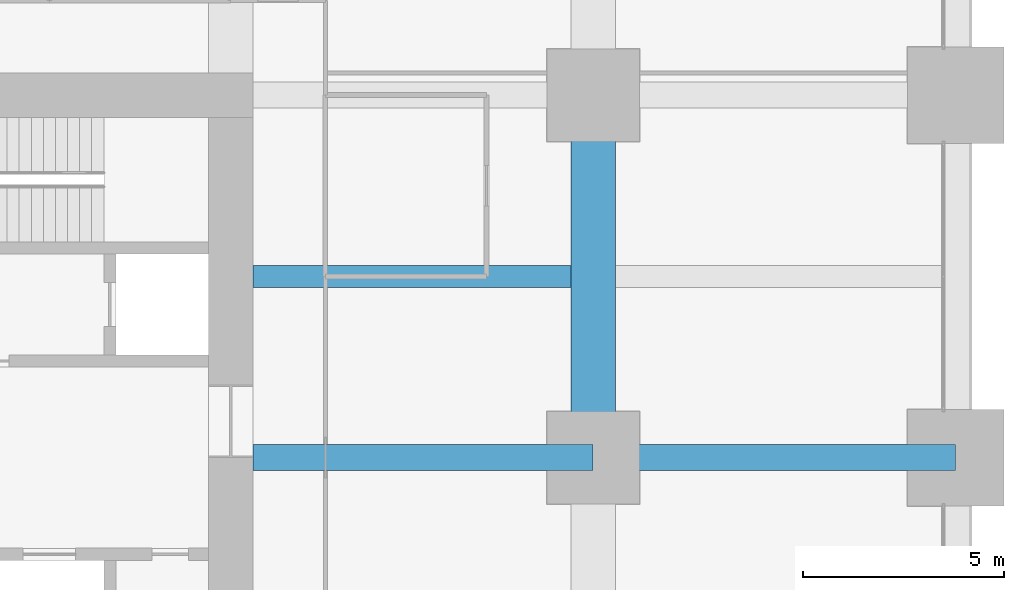
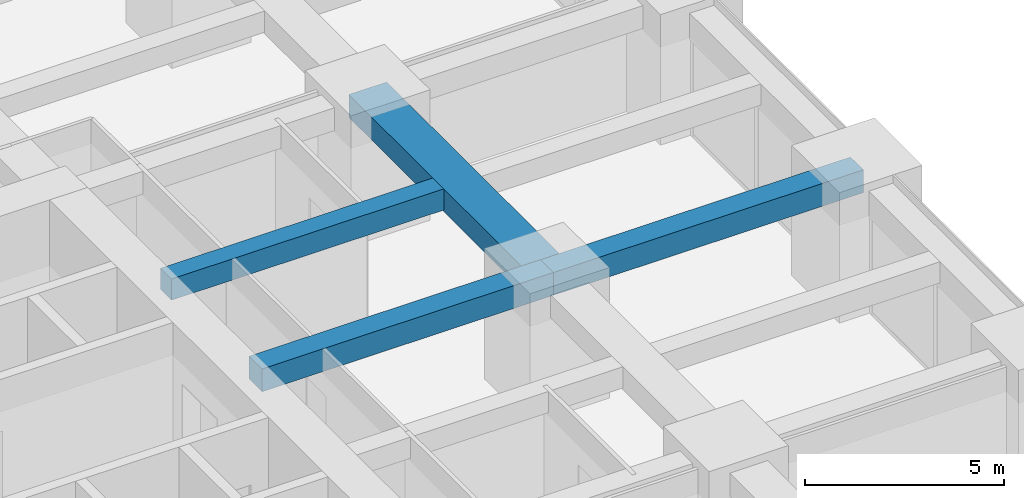
# One storey, part 21 of 45: 4 beams.
"""IFC4 building model written with IfcOpenShell, lengths in metres."""

from ifc_helpers import new_model, si_unit, direction, frame, origin, origin_2d, place, context, subcontext, project, spatial, rectangle, extrude, material, material_profile, profile_set, type_object, element, save


model = new_model("IFC4")

# Units and contexts
model_context = context("Model", 3, precision=1e-05, world=origin(), true_north=direction((0.0, 1.0)))
body_context = subcontext(model_context, "Body", "Model", "MODEL_VIEW")
ifc_project = project(units=[si_unit("LENGTHUNIT", "METRE"), si_unit("AREAUNIT", "SQUARE_METRE"), si_unit("VOLUMEUNIT", "CUBIC_METRE"), si_unit("PLANEANGLEUNIT", "RADIAN"), si_unit("MASSUNIT", "GRAM", prefix="KILO")], contexts=[model_context])

# Site, building, storey
site_placement = place(None, origin())
site = spatial("IfcSite", under=ifc_project, at=site_placement, CompositionType="ELEMENT")
building_placement = place(site_placement, origin())
building = spatial("IfcBuilding", under=site, at=building_placement, Name="Zorevar Civic Tower", CompositionType="ELEMENT")
storey_placement = place(building_placement, frame((0.0, 0.0, 47.800048828125)))
storey = spatial("IfcBuildingStorey", under=building, at=storey_placement, Name="L11", CompositionType="ELEMENT", Elevation=47.800048828125)

# Beams
ifc_material_1 = material(Name="Concrete C50/60", Category="concrete")
ifc_material_profile_1 = material_profile(ifc_material_1, rectangle(XDim=1.10009765625, YDim=0.699951171875, at=origin_2d()), Name="RC 1100x700")
ifc_profile_set_1 = profile_set([ifc_material_profile_1], Name="Concrete C50/60")
beam_type_1 = type_object("IfcBeamType", Name="Beam RC 1100x700", PredefinedType="BEAM", material=ifc_profile_set_1)
beam_1_placement = place(storey_placement, frame((54.0, 27.0, 3.39990234375), z_axis=(0.0, 1.0, 0.0), x_axis=(-1.0, 0.0, 0.0)))
element("IfcBeam", 1, at=beam_1_placement, inside=storey, type_object=beam_type_1, Name="Girder L12", PredefinedType="BEAM", context=body_context, shape_type="SweptSolid", body=[
    extrude(rectangle(XDim=1.10009765625, YDim=0.699951171875, at=origin_2d()), origin(), (0.0, 0.0, 1.0), 9.0),
])
ifc_material_2 = material(Name="Concrete C50/60", Category="concrete")
ifc_material_profile_2 = material_profile(ifc_material_2, rectangle(XDim=0.550048828125, YDim=0.64990234375, at=origin_2d()), Name="RC 550x650")
ifc_profile_set_2 = profile_set([ifc_material_profile_2], Name="Concrete C50/60")
beam_type_2 = type_object("IfcBeamType", Name="Beam RC 550x650", PredefinedType="BEAM", material=ifc_profile_set_2)
beam_2_placement = place(storey_placement, frame((45.550048828125, 31.5, 3.425048828125), z_axis=(1.0, 0.0, 0.0), x_axis=(0.0, 1.0, 0.0)))
element("IfcBeam", 2, at=beam_2_placement, inside=storey, type_object=beam_type_2, Name="Secondary beam L12", PredefinedType="BEAM", context=body_context, shape_type="SweptSolid", body=[
    extrude(rectangle(XDim=0.550048828125, YDim=0.64990234375, at=origin_2d()), origin(), (0.0, 0.0, 1.0), 7.89990234375),
])
ifc_material_3 = material(Name="Concrete C50/60", Category="concrete")
ifc_material_profile_3 = material_profile(ifc_material_3, rectangle(XDim=0.64990234375, YDim=0.699951171875, at=origin_2d()), Name="RC 650x700")
ifc_profile_set_3 = profile_set([ifc_material_profile_3], Name="Concrete C50/60")
beam_type_3 = type_object("IfcBeamType", Name="Beam RC 650x700", PredefinedType="BEAM", material=ifc_profile_set_3)
beam_3_placement = place(storey_placement, frame((45.550048828125, 27.0, 3.39990234375), z_axis=(1.0, 0.0, 0.0), x_axis=(0.0, 1.0, 0.0)))
element("IfcBeam", 3, at=beam_3_placement, inside=storey, type_object=beam_type_3, Name="Girder L12", PredefinedType="BEAM", context=body_context, shape_type="SweptSolid", body=[
    extrude(rectangle(XDim=0.64990234375, YDim=0.699951171875, at=origin_2d()), origin(), (0.0, 0.0, 1.0), 8.449951171875),
])
beam_4_placement = place(storey_placement, frame((54.0, 27.0, 3.39990234375), z_axis=(1.0, 0.0, 0.0), x_axis=(0.0, 1.0, 0.0)))
element("IfcBeam", 4, at=beam_4_placement, inside=storey, type_object=beam_type_3, Name="Girder L12", PredefinedType="BEAM", context=body_context, shape_type="SweptSolid", body=[
    extrude(rectangle(XDim=0.64990234375, YDim=0.699951171875, at=origin_2d()), origin(), (0.0, 0.0, 1.0), 9.0),
])

save(model, "model.ifc")
